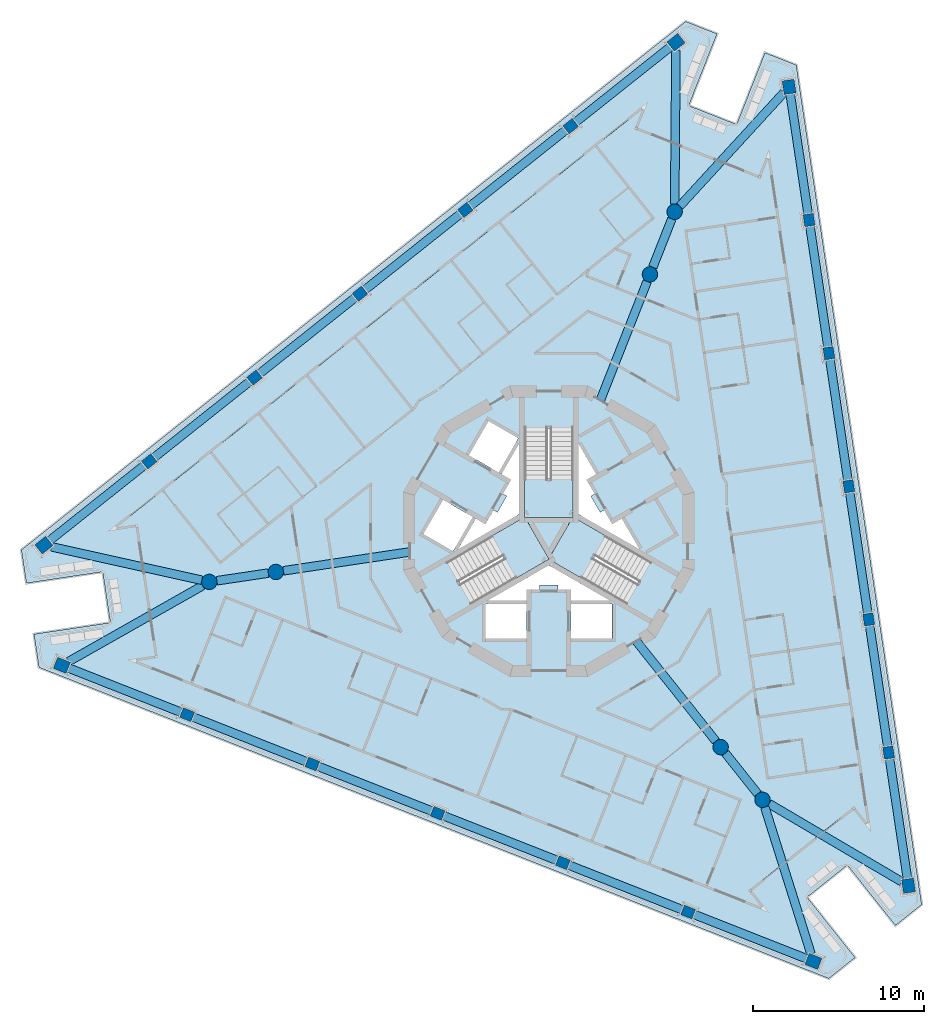
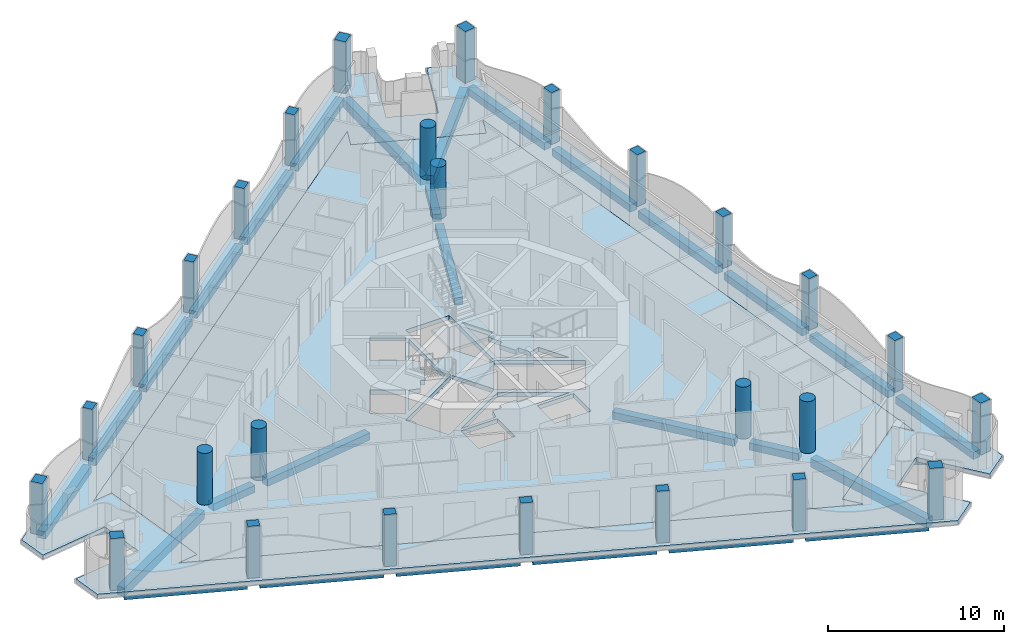
# One storey, part 1 of 16: 30 beams, 27 columns, 6 slabs, 3 elements without a shape of their own.
"""IFC4 building model written with IfcOpenShell, lengths in metres."""

from ifc_helpers import new_model, si_unit, direction, frame, origin, origin_2d, place, context, subcontext, project, spatial, polyline, rectangle, circle, outline, extrude, material, layer, layer_set, material_profile, profile_set, type_object, element, aggregate, save


model = new_model("IFC4")

# Units and contexts
model_context = context("Model", 3, precision=1e-05, world=origin(), true_north=direction((0.0, 1.0)))
body_context = subcontext(model_context, "Body", "Model", "MODEL_VIEW")
ifc_project = project(units=[si_unit("LENGTHUNIT", "METRE"), si_unit("AREAUNIT", "SQUARE_METRE"), si_unit("VOLUMEUNIT", "CUBIC_METRE"), si_unit("PLANEANGLEUNIT", "RADIAN"), si_unit("MASSUNIT", "GRAM", prefix="KILO")], contexts=[model_context])

# Site, building, storey
site_placement = place(None, origin())
site = spatial("IfcSite", under=ifc_project, at=site_placement, CompositionType="ELEMENT")
building_placement = place(site_placement, origin())
building = spatial("IfcBuilding", under=site, at=building_placement, Name="Trine Commons Tower", CompositionType="ELEMENT")
storey_placement = place(building_placement, frame((0.0, 0.0, 201.60009765625)))
storey = spatial("IfcBuildingStorey", under=building, at=storey_placement, Name="L52", CompositionType="ELEMENT", Elevation=201.60009765625)

# Columns
ifc_material_1 = material(Name="Concrete C60/75", Category="concrete")
ifc_material_profile_1 = material_profile(ifc_material_1, rectangle(XDim=0.699951171875, YDim=0.60009765625, at=origin_2d()), Name="RC 700x600")
ifc_profile_set_1 = profile_set([ifc_material_profile_1], Name="Concrete C60/75")
column_type_1 = type_object("IfcColumnType", Name="RC column 700x600, C60/75", PredefinedType="COLUMN", material=ifc_profile_set_1)
for number, where, z_axis, x_axis, name in (
    (1, (88.125, 40.285888671875, 0.0), (0.0, 0.0, 1.0), (-0.930417567982, 0.366501226724, 0.0), "Column PC6-02 L52"),
    (2, (80.82080078125, 43.1630859375, 0.0), (0.0, 0.0, 1.0), (-0.930417567982, 0.366501226724, 0.0), "Column PC6-03 L52"),
    (3, (73.516357421875, 46.04052734375, 0.0), (0.0, 0.0, 1.0), (-0.930417567982, 0.366501226724, 0.0), "Column PC6-04 L52"),
    (4, (66.212158203125, 48.917724609375, 0.0), (0.0, 0.0, 1.0), (-0.930417567982, 0.366501226724, 0.0), "Column PC6-05 L52"),
    (5, (58.90771484375, 51.794921875, 0.0), (0.0, 0.0, 1.0), (-0.930417567982, 0.366501226724, 0.0), "Column PC6-06 L52"),
    (6, (56.699462890625, 66.570556640625, 0.0), (0.0, 0.0, 1.0), (0.782608156852, 0.622514636638, 0.0), "Column PC6-09 L52"),
    (7, (62.843505859375, 71.45751953125, 0.0), (0.0, 0.0, 1.0), (0.782608156852, 0.622514636638, 0.0), "Column PC6-10 L52"),
    (8, (68.9873046875, 76.3447265625, 0.0), (0.0, 0.0, 1.0), (0.782608156852, 0.622514636638, 0.0), "Column PC6-11 L52"),
    (9, (75.13134765625, 81.231689453125, 0.0), (0.0, 0.0, 1.0), (0.782608156852, 0.622514636638, 0.0), "Column PC6-12 L52"),
    (10, (81.275390625, 86.118896484375, 0.0), (0.0, 0.0, 1.0), (0.782608156852, 0.622514636638, 0.0), "Column PC6-13 L52"),
    (11, (95.17529296875, 80.6435546875, 0.0), (0.0, 0.0, 1.0), (-0.14780941113, 0.989015863362, 0.0), "Column PC6-16 L52"),
    (12, (96.335693359375, 72.879150390625, 0.0), (0.0, 0.0, 1.0), (-0.14780941113, 0.989015863362, 0.0), "Column PC6-17 L52"),
    (13, (97.49609375, 65.11474609375, 0.0), (0.0, 0.0, 1.0), (-0.14780941113, 0.989015863362, 0.0), "Column PC6-18 L52"),
    (14, (98.656494140625, 57.350341796875, 0.0), (0.0, 0.0, 1.0), (-0.14780941113, 0.989015863362, 0.0), "Column PC6-19 L52"),
    (15, (99.81689453125, 49.586181640625, 0.0), (0.0, 0.0, 1.0), (-0.14780941113, 0.989015863362, 0.0), "Column PC6-20 L52"),
):
    element("IfcColumn", number, at=place(storey_placement, frame(where, z_axis=z_axis, x_axis=x_axis)), inside=storey, type_object=column_type_1, Name=name, PredefinedType="COLUMN", context=body_context, shape_type="SweptSolid", body=[
        extrude(rectangle(XDim=0.699951171875, YDim=0.60009765625, at=origin_2d()), origin(), (0.0, 0.0, 1.0), 3.599853515625),
    ])
ifc_material_profile_2 = material_profile(ifc_material_1, rectangle(XDim=0.800048828125, YDim=0.699951171875, at=origin_2d()), Name="RC 800x700")
ifc_profile_set_2 = profile_set([ifc_material_profile_2], Name="Concrete C60/75")
column_type_2 = type_object("IfcColumnType", Name="RC column 800x700, C60/75", PredefinedType="COLUMN", material=ifc_profile_set_2)
for number, where, z_axis, x_axis, name in (
    (16, (95.429443359375, 37.40869140625, 0.0), (0.0, 0.0, 1.0), (-0.930417567982, 0.366501226724, 0.0), "Column PC6-01 L52"),
    (17, (51.603515625, 54.67236328125, 0.0), (0.0, 0.0, 1.0), (-0.930417567982, 0.366501226724, 0.0), "Column PC6-07 L52"),
    (18, (50.5556640625, 61.683349609375, 0.0), (0.0, 0.0, 1.0), (0.782608156852, 0.622514636638, 0.0), "Column PC6-08 L52"),
    (19, (87.419189453125, 91.006103515625, 0.0), (0.0, 0.0, 1.0), (0.782608156852, 0.622514636638, 0.0), "Column PC6-14 L52"),
    (20, (94.014892578125, 88.407958984375, 0.0), (0.0, 0.0, 1.0), (-0.14780941113, 0.989015863362, 0.0), "Column PC6-15 L52"),
    (21, (100.977294921875, 41.82177734375, 0.0), (0.0, 0.0, 1.0), (-0.14780941113, 0.989015863362, 0.0), "Column PC6-21 L52"),
):
    element("IfcColumn", number, at=place(storey_placement, frame(where, z_axis=z_axis, x_axis=x_axis)), inside=storey, type_object=column_type_2, Name=name, PredefinedType="COLUMN", context=body_context, shape_type="SweptSolid", body=[
        extrude(rectangle(XDim=0.800048828125, YDim=0.699951171875, at=origin_2d()), origin(), (0.0, 0.0, 1.0), 3.599853515625),
    ])
ifc_material_profile_3 = material_profile(ifc_material_1, circle(Radius=0.449951171875, at=origin_2d()), Name="RC round 900")
ifc_profile_set_3 = profile_set([ifc_material_profile_3], Name="Concrete C60/75")
column_type_3 = type_object("IfcColumnType", Name="RC round column 900 mm, C60/75", PredefinedType="COLUMN", material=ifc_profile_set_3)
for number, where, z_axis, x_axis, name in (
    (22, (90.018798828125, 49.90478515625, 0.0), (0.0, 0.0, 1.0), (1.0, 0.0, 0.0), "Column WC6-1 L52"),
    (23, (92.461669921875, 46.83349609375, 0.0), (0.0, 0.0, 1.0), (1.0, 0.0, 0.0), "Column WC6-2 L52"),
    (24, (85.8984375, 77.47412109375, 0.0), (0.0, 0.0, 1.0), (1.0, 0.0, 0.0), "Column WC6-3 L52"),
    (25, (87.336669921875, 81.125244140625, 0.0), (0.0, 0.0, 1.0), (1.0, 0.0, 0.0), "Column WC6-4 L52"),
    (26, (64.082763671875, 60.12109375, 0.0), (0.0, 0.0, 1.0), (1.0, 0.0, 0.0), "Column WC6-5 L52"),
    (27, (60.20166015625, 59.541015625, 0.0), (0.0, 0.0, 1.0), (1.0, 0.0, 0.0), "Column WC6-6 L52"),
):
    element("IfcColumn", number, at=place(storey_placement, frame(where, z_axis=z_axis, x_axis=x_axis)), inside=storey, type_object=column_type_3, Name=name, PredefinedType="COLUMN", context=body_context, shape_type="SweptSolid", body=[
        extrude(circle(Radius=0.449951171875, at=origin_2d()), origin(), (0.0, 0.0, 1.0), 3.599853515625),
    ])

# Beams
ifc_material_2 = material(Name="Concrete C40/50", Category="concrete")
ifc_material_profile_4 = material_profile(ifc_material_2, rectangle(XDim=0.5, YDim=0.5, at=origin_2d()), Name="RC 500x500")
ifc_profile_set_4 = profile_set([ifc_material_profile_4], Name="Concrete C40/50")
beam_type_1 = type_object("IfcBeamType", Name="RC beam 500x500, C40/50", PredefinedType="BEAM", material=ifc_profile_set_4)
beam_1_placement = place(storey_placement, frame((95.05712890625, 37.555419921875, -0.550048828125), z_axis=(-0.930420117749, 0.366494753699, 0.0), x_axis=(-0.366494753699, -0.930420117749, 0.0)))
element("IfcBeam", 28, at=beam_1_placement, inside=storey, type_object=beam_type_1, Name="Beam EB6-01 L52", PredefinedType="BEAM", context=body_context, shape_type="SweptSolid", body=[
    extrude(rectangle(XDim=0.5, YDim=0.5, at=origin_2d()), origin(), (0.0, 0.0, 1.0), 7.1005859375),
])
for number, where, z_axis, x_axis, name in (
    (29, (87.799560546875, 40.414306640625, -0.550048828125), (-0.93042285796, 0.366487797048, 0.0), (-0.366487797048, -0.93042285796, 0.0), "Beam EB6-02 L52"),
    (30, (80.4951171875, 43.29150390625, -0.550048828125), (-0.93042285796, 0.366487797048, 0.0), (-0.366487797048, -0.93042285796, 0.0), "Beam EB6-03 L52"),
):
    element("IfcBeam", number, at=place(storey_placement, frame(where, z_axis=z_axis, x_axis=x_axis)), inside=storey, type_object=beam_type_1, Name=name, PredefinedType="BEAM", context=body_context, shape_type="SweptSolid", body=[
        extrude(rectangle(XDim=0.5, YDim=0.5, at=origin_2d()), origin(), (0.0, 0.0, 1.0), 7.150634765625),
    ])
beam_2_placement = place(storey_placement, frame((73.19091796875, 46.168701171875, -0.550048828125), z_axis=(-0.930427443561, 0.366476155115, 0.0), x_axis=(-0.366476155115, -0.930427443561, 0.0)))
element("IfcBeam", 31, at=beam_2_placement, inside=storey, type_object=beam_type_1, Name="Beam EB6-04 L52", PredefinedType="BEAM", context=body_context, shape_type="SweptSolid", body=[
    extrude(rectangle(XDim=0.5, YDim=0.5, at=origin_2d()), origin(), (0.0, 0.0, 1.0), 7.15087890625),
])
beam_3_placement = place(storey_placement, frame((65.886474609375, 49.0458984375, -0.550048828125), z_axis=(-0.930411215363, 0.366517353378, 0.0), x_axis=(-0.366517353378, -0.930411215363, 0.0)))
element("IfcBeam", 32, at=beam_3_placement, inside=storey, type_object=beam_type_1, Name="Beam EB6-05 L52", PredefinedType="BEAM", context=body_context, shape_type="SweptSolid", body=[
    extrude(rectangle(XDim=0.5, YDim=0.5, at=origin_2d()), origin(), (0.0, 0.0, 1.0), 7.150634765625),
])
beam_4_placement = place(storey_placement, frame((58.582275390625, 51.92333984375, -0.550048828125), z_axis=(-0.930424735877, 0.366483029441, 0.0), x_axis=(-0.366483029441, -0.930424735877, 0.0)))
element("IfcBeam", 33, at=beam_4_placement, inside=storey, type_object=beam_type_1, Name="Beam EB6-06 L52", PredefinedType="BEAM", context=body_context, shape_type="SweptSolid", body=[
    extrude(rectangle(XDim=0.5, YDim=0.5, at=origin_2d()), origin(), (0.0, 0.0, 1.0), 7.100830078125),
])
beam_5_placement = place(storey_placement, frame((50.86865234375, 61.932373046875, -0.550048828125), z_axis=(0.782606764813, 0.622516386667, 0.0), x_axis=(-0.622516386667, 0.782606764813, 0.0)))
element("IfcBeam", 34, at=beam_5_placement, inside=storey, type_object=beam_type_1, Name="Beam EB6-07 L52", PredefinedType="BEAM", context=body_context, shape_type="SweptSolid", body=[
    extrude(rectangle(XDim=0.5, YDim=0.5, at=origin_2d()), origin(), (0.0, 0.0, 1.0), 7.1005859375),
])
beam_6_placement = place(storey_placement, frame((56.973388671875, 66.788330078125, -0.550048828125), z_axis=(0.78260785881, 0.622515011329, 0.0), x_axis=(-0.622515011329, 0.78260785881, 0.0)))
element("IfcBeam", 35, at=beam_6_placement, inside=storey, type_object=beam_type_1, Name="Beam EB6-08 L52", PredefinedType="BEAM", context=body_context, shape_type="SweptSolid", body=[
    extrude(rectangle(XDim=0.5, YDim=0.5, at=origin_2d()), origin(), (0.0, 0.0, 1.0), 7.150634765625),
])
beam_7_placement = place(storey_placement, frame((63.117431640625, 71.675537109375, -0.550048828125), z_axis=(0.782611261581, 0.622510733439, 0.0), x_axis=(-0.622510733439, 0.782611261581, 0.0)))
element("IfcBeam", 36, at=beam_7_placement, inside=storey, type_object=beam_type_1, Name="Beam EB6-09 L52", PredefinedType="BEAM", context=body_context, shape_type="SweptSolid", body=[
    extrude(rectangle(XDim=0.5, YDim=0.5, at=origin_2d()), origin(), (0.0, 0.0, 1.0), 7.150390625),
])
for number, where, z_axis, x_axis, name in (
    (37, (69.26123046875, 76.5625, -0.550048828125), (0.78260785881, 0.622515011329, 0.0), (-0.622515011329, 0.78260785881, 0.0), "Beam EB6-10 L52"),
    (38, (75.4052734375, 81.44970703125, -0.550048828125), (0.782624492464, 0.622494099407, 0.0), (-0.622494099407, 0.782624492464, 0.0), "Beam EB6-11 L52"),
):
    element("IfcBeam", number, at=place(storey_placement, frame(where, z_axis=z_axis, x_axis=x_axis)), inside=storey, type_object=beam_type_1, Name=name, PredefinedType="BEAM", context=body_context, shape_type="SweptSolid", body=[
        extrude(rectangle(XDim=0.5, YDim=0.5, at=origin_2d()), origin(), (0.0, 0.0, 1.0), 7.150634765625),
    ])
beam_8_placement = place(storey_placement, frame((81.54931640625, 86.3369140625, -0.550048828125), z_axis=(0.782606764813, 0.622516386667, 0.0), x_axis=(-0.622516386667, 0.782606764813, 0.0)))
element("IfcBeam", 39, at=beam_8_placement, inside=storey, type_object=beam_type_1, Name="Beam EB6-12 L52", PredefinedType="BEAM", context=body_context, shape_type="SweptSolid", body=[
    extrude(rectangle(XDim=0.5, YDim=0.5, at=origin_2d()), origin(), (0.0, 0.0, 1.0), 7.1005859375),
])
beam_9_placement = place(storey_placement, frame((94.07421875, 88.01220703125, -0.550048828125), z_axis=(0.147815848306, -0.989014901298, 0.0), x_axis=(0.989014901298, 0.147815848306, 0.0)))
element("IfcBeam", 40, at=beam_9_placement, inside=storey, type_object=beam_type_1, Name="Beam EB6-13 L52", PredefinedType="BEAM", context=body_context, shape_type="SweptSolid", body=[
    extrude(rectangle(XDim=0.5, YDim=0.5, at=origin_2d()), origin(), (0.0, 0.0, 1.0), 7.100341796875),
])
for number, where, z_axis, x_axis, name in (
    (41, (95.22705078125, 80.29736328125, -0.550048828125), (0.147804496566, -0.989016597836, 0.0), (0.989016597836, 0.147804496566, 0.0), "Beam EB6-14 L52"),
    (42, (96.387451171875, 72.532958984375, -0.550048828125), (0.147804496566, -0.989016597836, 0.0), (0.989016597836, 0.147804496566, 0.0), "Beam EB6-15 L52"),
    (43, (97.5478515625, 64.7685546875, -0.550048828125), (0.147804496566, -0.989016597836, 0.0), (0.989016597836, 0.147804496566, 0.0), "Beam EB6-16 L52"),
):
    element("IfcBeam", number, at=place(storey_placement, frame(where, z_axis=z_axis, x_axis=x_axis)), inside=storey, type_object=beam_type_1, Name=name, PredefinedType="BEAM", context=body_context, shape_type="SweptSolid", body=[
        extrude(rectangle(XDim=0.5, YDim=0.5, at=origin_2d()), origin(), (0.0, 0.0, 1.0), 7.150634765625),
    ])
beam_10_placement = place(storey_placement, frame((98.708251953125, 57.004150390625, -0.550048828125), z_axis=(0.147809487776, -0.989015851907, 0.0), x_axis=(0.989015851907, 0.147809487776, 0.0)))
element("IfcBeam", 44, at=beam_10_placement, inside=storey, type_object=beam_type_1, Name="Beam EB6-17 L52", PredefinedType="BEAM", context=body_context, shape_type="SweptSolid", body=[
    extrude(rectangle(XDim=0.5, YDim=0.5, at=origin_2d()), origin(), (0.0, 0.0, 1.0), 7.150390625),
])
beam_11_placement = place(storey_placement, frame((99.86865234375, 49.239990234375, -0.550048828125), z_axis=(0.14781082184, -0.989015652529, 0.0), x_axis=(0.989015652529, 0.14781082184, 0.0)))
element("IfcBeam", 45, at=beam_11_placement, inside=storey, type_object=beam_type_1, Name="Beam EB6-18 L52", PredefinedType="BEAM", context=body_context, shape_type="SweptSolid", body=[
    extrude(rectangle(XDim=0.5, YDim=0.5, at=origin_2d()), origin(), (0.0, 0.0, 1.0), 7.1005859375),
])
beam_12_placement = place(storey_placement, frame((85.101318359375, 56.0869140625, -0.550048828125), z_axis=(0.622498476125, -0.782621011232, 0.0), x_axis=(0.782621011232, 0.622498476125, 0.0)))
element("IfcBeam", 46, at=beam_12_placement, inside=storey, type_object=beam_type_1, Name="Beam RB6-01 L52", PredefinedType="BEAM", context=body_context, shape_type="SweptSolid", body=[
    extrude(rectangle(XDim=0.5, YDim=0.5, at=origin_2d()), origin(), (0.0, 0.0, 1.0), 7.44970703125),
])
beam_13_placement = place(storey_placement, frame((90.298583984375, 49.552734375, -0.550048828125), z_axis=(0.622497726794, -0.782621607251, 0.0), x_axis=(0.782621607251, 0.622497726794, 0.0)))
element("IfcBeam", 47, at=beam_13_placement, inside=storey, type_object=beam_type_1, Name="Beam RB6-02 L52", PredefinedType="BEAM", context=body_context, shape_type="SweptSolid", body=[
    extrude(rectangle(XDim=0.5, YDim=0.5, at=origin_2d()), origin(), (0.0, 0.0, 1.0), 3.02490234375),
])
beam_14_placement = place(storey_placement, frame((83.00341796875, 70.12451171875, -0.550048828125), z_axis=(0.366497867563, 0.930418891184, 0.0), x_axis=(-0.930418891184, 0.366497867563, 0.0)))
element("IfcBeam", 48, at=beam_14_placement, inside=storey, type_object=beam_type_1, Name="Beam RB6-03 L52", PredefinedType="BEAM", context=body_context, shape_type="SweptSolid", body=[
    extrude(rectangle(XDim=0.5, YDim=0.5, at=origin_2d()), origin(), (0.0, 0.0, 1.0), 7.449462890625),
])
beam_15_placement = place(storey_placement, frame((86.063232421875, 77.892578125, -0.550048828125), z_axis=(0.366528753051, 0.930406724603, 0.0), x_axis=(-0.930406724603, 0.366528753051, 0.0)))
element("IfcBeam", 49, at=beam_15_placement, inside=storey, type_object=beam_type_1, Name="Beam RB6-04 L52", PredefinedType="BEAM", context=body_context, shape_type="SweptSolid", body=[
    extrude(rectangle(XDim=0.5, YDim=0.5, at=origin_2d()), origin(), (0.0, 0.0, 1.0), 3.024658203125),
])
beam_16_placement = place(storey_placement, frame((71.8955078125, 61.288818359375, -0.550048828125), z_axis=(-0.989013138411, -0.147827643054, 0.0), x_axis=(0.147827643054, -0.989013138411, 0.0)))
element("IfcBeam", 50, at=beam_16_placement, inside=storey, type_object=beam_type_1, Name="Beam RB6-05 L52", PredefinedType="BEAM", context=body_context, shape_type="SweptSolid", body=[
    extrude(rectangle(XDim=0.5, YDim=0.5, at=origin_2d()), origin(), (0.0, 0.0, 1.0), 7.449951171875),
])
beam_17_placement = place(storey_placement, frame((63.63818359375, 60.0546875, -0.550048828125), z_axis=(-0.989011987503, -0.14783534278, 0.0), x_axis=(0.14783534278, -0.989011987503, 0.0)))
element("IfcBeam", 51, at=beam_17_placement, inside=storey, type_object=beam_type_1, Name="Beam RB6-06 L52", PredefinedType="BEAM", context=body_context, shape_type="SweptSolid", body=[
    extrude(rectangle(XDim=0.5, YDim=0.5, at=origin_2d()), origin(), (0.0, 0.0, 1.0), 3.025390625),
])
ifc_material_profile_5 = material_profile(ifc_material_2, rectangle(XDim=0.5, YDim=0.60009765625, at=origin_2d()), Name="RC 500x600")
ifc_profile_set_5 = profile_set([ifc_material_profile_5], Name="Concrete C40/50")
beam_type_2 = type_object("IfcBeamType", Name="RC beam 500x600, C40/50", PredefinedType="BEAM", material=ifc_profile_set_5)
for number, where, z_axis, x_axis, name in (
    (52, (51.9951171875, 54.89404296875, -0.60009765625), (0.870168672724, 0.492753976148, 0.0), (-0.492753976148, 0.870168672724, 0.0), "Beam CB6-01 L52"),
    (53, (50.9951171875, 61.585693359375, -0.60009765625), (0.976218391118, -0.216789420505, 0.0), (0.216789420505, 0.976218391118, 0.0), "Beam CB6-02 L52"),
):
    element("IfcBeam", number, at=place(storey_placement, frame(where, z_axis=z_axis, x_axis=x_axis)), inside=storey, type_object=beam_type_2, Name=name, PredefinedType="BEAM", context=body_context, shape_type="SweptSolid", body=[
        extrude(rectangle(XDim=0.5, YDim=0.60009765625, at=origin_2d()), origin(), (0.0, 0.0, 1.0), 8.981201171875),
    ])
beam_18_placement = place(storey_placement, frame((87.41552734375, 90.555908203125, -0.60009765625), z_axis=(-0.008345502486, -0.999965175688, 0.0), x_axis=(0.999965175688, -0.008345502486, 0.0)))
element("IfcBeam", 54, at=beam_18_placement, inside=storey, type_object=beam_type_2, Name="Beam CB6-03 L52", PredefinedType="BEAM", context=body_context, shape_type="SweptSolid", body=[
    extrude(rectangle(XDim=0.5, YDim=0.60009765625, at=origin_2d()), origin(), (0.0, 0.0, 1.0), 8.98095703125),
])
beam_19_placement = place(storey_placement, frame((93.710693359375, 88.076171875, -0.60009765625), z_axis=(-0.675864939366, -0.737025497344, 0.0), x_axis=(0.737025497344, -0.675864939366, 0.0)))
element("IfcBeam", 55, at=beam_19_placement, inside=storey, type_object=beam_type_2, Name="Beam CB6-04 L52", PredefinedType="BEAM", context=body_context, shape_type="SweptSolid", body=[
    extrude(rectangle(XDim=0.5, YDim=0.60009765625, at=origin_2d()), origin(), (0.0, 0.0, 1.0), 8.9814453125),
])
for number, where, z_axis, x_axis, name in (
    (56, (100.58935546875, 42.050048828125, -0.60009765625), (-0.861820288966, 0.507213751319, 0.0), (-0.507213751319, -0.861820288966, 0.0), "Beam CB6-05 L52"),
    (57, (95.294189453125, 37.838134765625, -0.60009765625), (-0.300354576277, 0.953827619913, 0.0), (-0.953827619913, -0.300354576277, 0.0), "Beam CB6-06 L52"),
):
    element("IfcBeam", number, at=place(storey_placement, frame(where, z_axis=z_axis, x_axis=x_axis)), inside=storey, type_object=beam_type_2, Name=name, PredefinedType="BEAM", context=body_context, shape_type="SweptSolid", body=[
        extrude(rectangle(XDim=0.5, YDim=0.60009765625, at=origin_2d()), origin(), (0.0, 0.0, 1.0), 8.981201171875),
    ])

# Slabs
ifc_layer_1 = layer(ifc_material_2, 0.300048828125)
ifc_layer_set_1 = layer_set([ifc_layer_1], Name="Concrete C40/50")
slab_type_1 = type_object("IfcSlabType", Name="Loggia slab 300 mm, C40/50", PredefinedType="FLOOR", material=ifc_layer_set_1)
slab_1_placement = place(storey_placement, frame((0.0, 0.0, -0.300048828125)))
element("IfcSlab", 58, at=slab_1_placement, inside=storey, type_object=slab_type_1, Name="Loggia slab L52", PredefinedType="FLOOR", context=body_context, shape_type="SweptSolid", body=[
    extrude(outline(polyline([(101.748046875, 40.7236328125), (94.430908203125, 89.683349609375), (92.603515625, 90.4033203125), (90.954345703125, 86.21630859375), (88.1630859375, 87.31591796875), (89.812255859375, 91.502685546875), (87.98486328125, 92.22265625), (49.242919921875, 61.406005859375), (49.533203125, 59.46337890625), (53.98388671875, 60.12841796875), (54.42724609375, 57.16162109375), (49.976806640625, 56.496337890625), (50.26708984375, 54.5537109375), (96.325927734375, 36.41064453125), (97.86328125, 37.63330078125), (95.061767578125, 41.155029296875), (97.40966796875, 43.022705078125), (100.2109375, 39.5009765625), (101.748046875, 40.7236328125)]), holes=[polyline([(56.002685546875, 62.85693359375), (57.15576171875, 55.142578125), (55.825439453125, 54.94384765625), (92.52685546875, 40.48681640625), (91.689453125, 41.539306640625), (97.7939453125, 46.39501953125), (98.631103515625, 45.34228515625), (92.80078125, 84.355224609375), (92.3076171875, 83.103759765625), (85.050537109375, 85.96240234375), (85.54345703125, 87.2138671875), (54.672607421875, 62.658203125), (56.002685546875, 62.85693359375)])]), origin(), (0.0, 0.0, 1.0), 0.300048828125),
])
ifc_layer_2 = layer(ifc_material_2, 0.300048828125)
ifc_layer_set_2 = layer_set([ifc_layer_2], Name="Concrete C40/50")
slab_type_2 = type_object("IfcSlabType", Name="PT flat slab 300 mm, C40/50", PredefinedType="FLOOR", material=ifc_layer_set_2)
slab_2_placement = place(storey_placement, frame((0.0, 0.0, -0.300048828125)))
element("IfcSlab", 59, at=slab_2_placement, inside=storey, type_object=slab_type_2, Name="Floor slab L52", PredefinedType="FLOOR", context=body_context, shape_type="SweptSolid", body=[
    extrude(outline(polyline([(54.672607421875, 62.658203125), (56.002685546875, 62.85693359375), (57.15576171875, 55.142578125), (55.825439453125, 54.94384765625), (92.52685546875, 40.48681640625), (91.689453125, 41.539306640625), (97.7939453125, 46.39501953125), (98.631103515625, 45.34228515625), (92.80078125, 84.355224609375), (92.3076171875, 83.103759765625), (85.050537109375, 85.96240234375), (85.54345703125, 87.2138671875), (54.672607421875, 62.658203125)]), holes=[polyline([(78.699951171875, 56.25), (78.699951171875, 58.25), (76.300048828125, 58.25), (76.300048828125, 56.25), (78.699951171875, 56.25)]), polyline([(83.699951171875, 56.25), (83.699951171875, 58.25), (81.300048828125, 58.25), (81.300048828125, 56.25), (83.699951171875, 56.25)]), polyline([(81.300048828125, 58.449951171875), (83.56494140625, 58.449951171875), (80.0, 60.508056640625), (76.43505859375, 58.449951171875), (78.699951171875, 58.449951171875), (78.85009765625, 59.10009765625), (79.449951171875, 59.10009765625), (79.449951171875, 59.360107421875), (80.550048828125, 59.360107421875), (80.550048828125, 59.10009765625), (81.14990234375, 59.10009765625), (81.300048828125, 58.449951171875)]), polyline([(81.425048828125, 63.32275390625), (81.425048828125, 68.490478515625), (78.574951171875, 68.490478515625), (78.574951171875, 63.32275390625), (74.099609375, 60.73876953125), (75.5244140625, 58.2705078125), (80.0, 60.8544921875), (84.4755859375, 58.2705078125), (85.900390625, 60.73876953125), (81.425048828125, 63.32275390625)]), polyline([(72.687255859375, 62.333984375), (74.41943359375, 61.333984375), (75.5693359375, 63.325927734375), (73.83740234375, 64.325927734375), (72.687255859375, 62.333984375)]), polyline([(76.381103515625, 63.031005859375), (75.742919921875, 63.22607421875), (74.7099609375, 61.43798828125), (78.27490234375, 63.49609375), (78.27490234375, 67.612060546875), (77.242919921875, 65.823974609375), (77.73095703125, 65.368896484375), (77.3310546875, 64.676025390625), (77.555908203125, 64.5458984375), (77.006103515625, 63.593994140625), (76.781005859375, 63.722900390625), (76.381103515625, 63.031005859375)]), polyline([(82.993896484375, 63.593994140625), (82.444091796875, 64.5458984375), (82.72705078125, 64.7099609375), (82.281005859375, 65.549072265625), (82.757080078125, 65.823974609375), (81.72509765625, 67.612060546875), (81.72509765625, 63.49609375), (85.2900390625, 61.43798828125), (84.257080078125, 63.22607421875), (83.618896484375, 63.031005859375), (83.243896484375, 63.738037109375), (82.993896484375, 63.593994140625)]), polyline([(76.4873046875, 68.916015625), (75.33740234375, 66.924072265625), (77.0693359375, 65.924072265625), (78.219482421875, 67.916015625), (76.4873046875, 68.916015625)])]), origin(), (0.0, 0.0, 1.0), 0.300048828125),
])
slab_3_placement = place(storey_placement, frame((0.0, 0.0, -0.300048828125)))
element("IfcSlab", 60, at=slab_3_placement, inside=storey, type_object=slab_type_2, Name="Floor slab L52 2", PredefinedType="FLOOR", context=body_context, shape_type="SweptSolid", body=[
    extrude(outline(polyline([(81.38671875, 63.300537109375), (78.61328125, 63.300537109375), (80.0, 60.89892578125), (81.38671875, 63.300537109375)])), origin(), (0.0, 0.0, 1.0), 0.300048828125),
])

# Stair, slab
ifc_material_3 = material(Name="Concrete C50/60", Category="concrete")
stair_type = type_object("IfcStairType", Name="Exit stair, dog-leg, 24 risers of 150 mm", PredefinedType="HALF_TURN_STAIR", material=ifc_material_3)
stair_1_placement = place(storey_placement, origin())
stair_1 = element("IfcStair", 61, at=stair_1_placement, inside=storey, type_object=stair_type, Name="L52 Exit stair ST1C", PredefinedType="HALF_TURN_STAIR")
ifc_layer_3 = layer(ifc_material_3, 0.199951171875)
ifc_layer_set_3 = layer_set([ifc_layer_3], Name="Concrete C50/60")
slab_type_3 = type_object("IfcSlabType", Name="Stair landing slab 200 mm, C50/60", PredefinedType="LANDING", material=ifc_layer_set_3)
slab_4_placement = place(storey_placement, frame((0.0, 0.0, 1.599853515625)))
slab_4 = element("IfcSlab", 62, at=slab_4_placement, type_object=slab_type_3, Name="ST1C landing 1", PredefinedType="LANDING", context=body_context, shape_type="SweptSolid", body=[
    extrude(outline(polyline([(78.574951171875, 65.570556640625), (78.574951171875, 63.300537109375), (81.425048828125, 63.300537109375), (81.425048828125, 65.570556640625), (78.574951171875, 65.570556640625)])), origin(), (0.0, 0.0, 1.0), 0.199951171875),
])
aggregate(stair_1, [slab_4])

stair_2_placement = place(storey_placement, origin())
stair_2 = element("IfcStair", 63, at=stair_2_placement, inside=storey, type_object=stair_type, Name="L52 Exit stair ST2C", PredefinedType="HALF_TURN_STAIR")
slab_5_placement = place(storey_placement, frame((0.0, 0.0, 1.599853515625)))
slab_5 = element("IfcSlab", 64, at=slab_5_placement, type_object=slab_type_3, Name="ST2C landing 1", PredefinedType="LANDING", context=body_context, shape_type="SweptSolid", body=[
    extrude(outline(polyline([(78.05322265625, 59.730712890625), (80.019287109375, 60.86572265625), (78.59423828125, 63.333740234375), (76.628173828125, 62.19873046875), (78.05322265625, 59.730712890625)])), origin(), (0.0, 0.0, 1.0), 0.199951171875),
])
aggregate(stair_2, [slab_5])

stair_3_placement = place(storey_placement, origin())
stair_3 = element("IfcStair", 65, at=stair_3_placement, inside=storey, type_object=stair_type, Name="L52 Exit stair ST3C", PredefinedType="HALF_TURN_STAIR")
slab_6_placement = place(storey_placement, frame((0.0, 0.0, 1.599853515625)))
slab_6 = element("IfcSlab", 66, at=slab_6_placement, type_object=slab_type_3, Name="ST3C landing 1", PredefinedType="LANDING", context=body_context, shape_type="SweptSolid", body=[
    extrude(outline(polyline([(83.371826171875, 62.19873046875), (81.40576171875, 63.333740234375), (79.980712890625, 60.86572265625), (81.94677734375, 59.730712890625), (83.371826171875, 62.19873046875)])), origin(), (0.0, 0.0, 1.0), 0.199951171875),
])
aggregate(stair_3, [slab_6])

save(model, "model.ifc")
